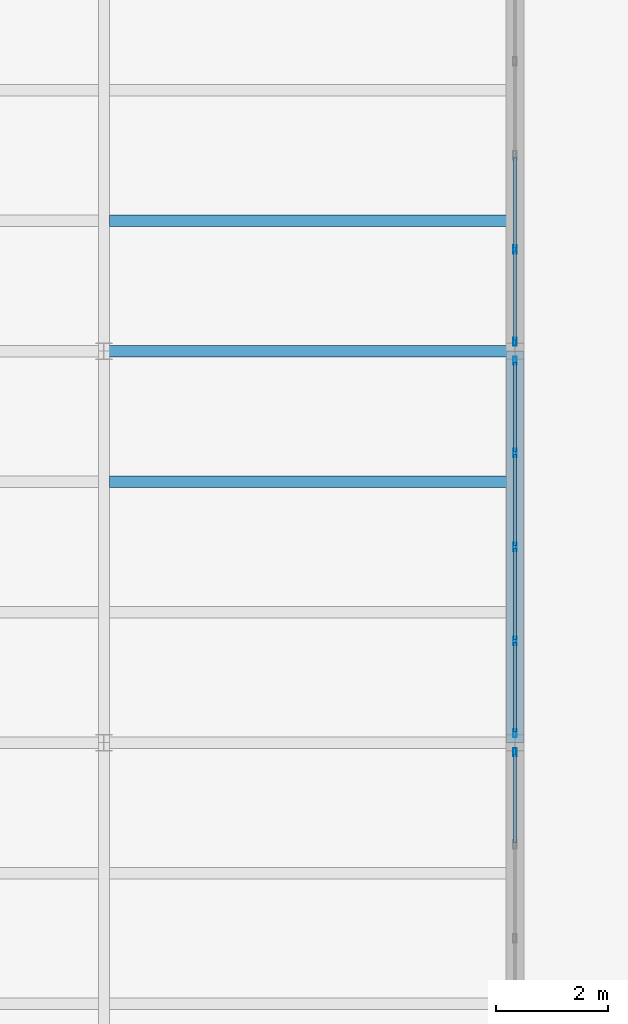
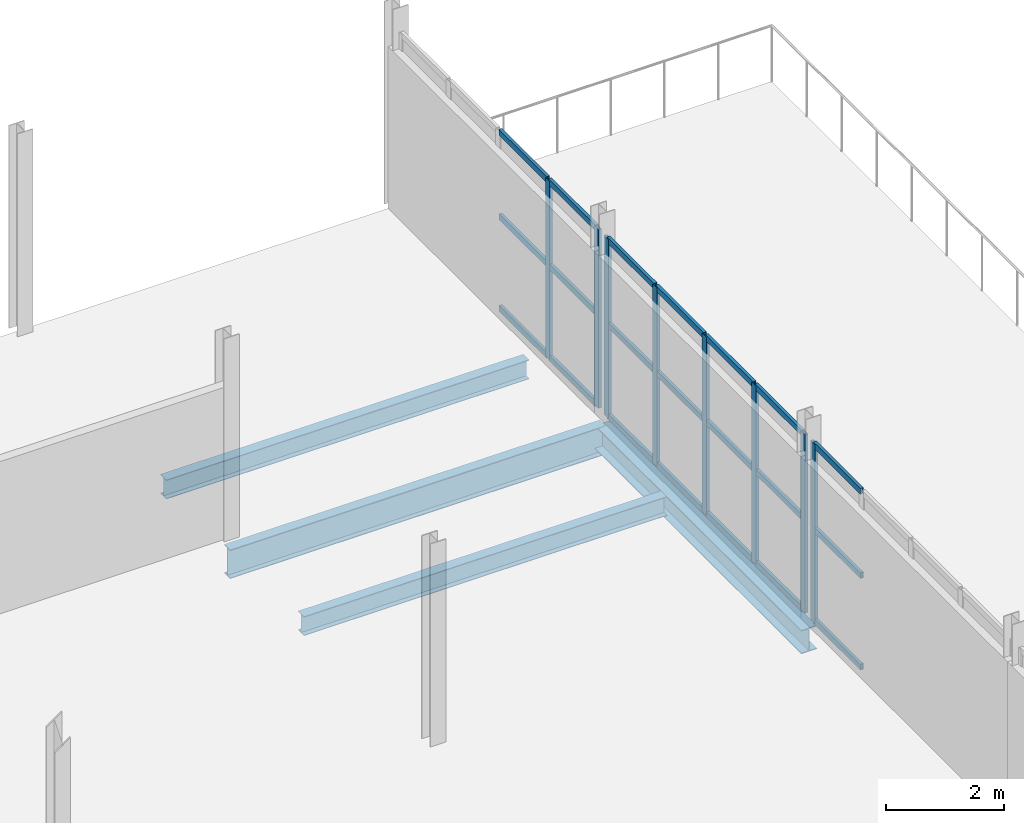
# One storey, part 23 of 39: 29 members, 4 beams, 3 elements without a shape of their own.
"""IFC4 building model written with IfcOpenShell, lengths in metres."""

from ifc_helpers import new_model, si_unit, direction, frame, origin, origin_2d, place, context, subcontext, project, spatial, hollow_rectangle, i_section, extrude, material, material_profile, profile_set, type_object, element, aggregate, save


model = new_model("IFC4")

# Units and contexts
model_context = context("Model", 3, precision=1e-05, world=origin(), true_north=direction((0.0, 1.0)))
body_context = subcontext(model_context, "Body", "Model", "MODEL_VIEW")
ifc_project = project(units=[si_unit("LENGTHUNIT", "METRE"), si_unit("AREAUNIT", "SQUARE_METRE"), si_unit("VOLUMEUNIT", "CUBIC_METRE"), si_unit("PLANEANGLEUNIT", "RADIAN"), si_unit("MASSUNIT", "GRAM", prefix="KILO")], contexts=[model_context])

# Site, building, storey
site_placement = place(None, origin())
site = spatial("IfcSite", under=ifc_project, at=site_placement, CompositionType="ELEMENT")
building_placement = place(site_placement, origin())
building = spatial("IfcBuilding", under=site, at=building_placement, Name="Kazenagashi Tramway Depot", CompositionType="ELEMENT")
storey_placement = place(building_placement, frame((0.0, 0.0, 11.1)))
storey = spatial("IfcBuildingStorey", under=building, at=storey_placement, Name="L03", CompositionType="ELEMENT", Elevation=11.1)

# Beams
ifc_material_1 = material(Name="Steel SN490B", Category="steel")
ifc_material_profile_1 = material_profile(ifc_material_1, i_section(OverallWidth=0.199, OverallDepth=0.596, WebThickness=0.01, FlangeThickness=0.015, at=origin_2d()), Name="H-596x199x10x15")
ifc_profile_set_1 = profile_set([ifc_material_profile_1], Name="Steel SN490B")
beam_type_1 = type_object("IfcBeamType", Name="G-09", PredefinedType="BEAM", material=ifc_profile_set_1)
beam_1_placement = place(storey_placement, frame((29.4, 56.0, -0.548), z_axis=(1.0, 0.0, 0.0), x_axis=(0.0, 1.0, 0.0)))
element("IfcBeam", 1, at=beam_1_placement, inside=storey, type_object=beam_type_1, Name="Beam G-09 BM-0262", PredefinedType="BEAM", context=body_context, shape_type="SweptSolid", body=[
    extrude(i_section(OverallWidth=0.199, OverallDepth=0.596, WebThickness=0.01, FlangeThickness=0.015, at=origin_2d()), origin(), (0.0, 0.0, 1.0), 7.35),
])
ifc_material_profile_2 = material_profile(ifc_material_1, i_section(OverallWidth=0.199, OverallDepth=0.396, WebThickness=0.007, FlangeThickness=0.011, at=origin_2d()), Name="H-396x199x7x11")
ifc_profile_set_2 = profile_set([ifc_material_profile_2], Name="Steel SN490B")
beam_type_2 = type_object("IfcBeamType", Name="J-05", PredefinedType="JOIST", material=ifc_profile_set_2)
for number, where, z_axis, x_axis, name in (
    (2, (29.499, 53.667, -0.448), (1.0, 0.0, 0.0), (0.0, 1.0, 0.0), "Beam J-05 BM-0395"),
    (3, (29.499, 58.333, -0.448), (1.0, 0.0, 0.0), (0.0, 1.0, 0.0), "Beam J-05 BM-0397"),
):
    element("IfcBeam", number, at=place(storey_placement, frame(where, z_axis=z_axis, x_axis=x_axis)), inside=storey, type_object=beam_type_2, Name=name, PredefinedType="JOIST", context=body_context, shape_type="SweptSolid", body=[
        extrude(i_section(OverallWidth=0.199, OverallDepth=0.396, WebThickness=0.007, FlangeThickness=0.011, at=origin_2d()), origin(), (0.0, 0.0, 1.0), 7.101),
    ])

# Curtain wall, member
ifc_material_2 = material(Name="Anodised Aluminium and Low-E Glazing", Category="aluminium")
curtain_wall_type = type_object("IfcCurtainWallType", Name="CW-26", PredefinedType="USERDEFINED", material=ifc_material_2)
curtain_wall_1_placement = place(storey_placement, origin())
curtain_wall_1 = element("IfcCurtainWall", 4, at=curtain_wall_1_placement, inside=storey, type_object=curtain_wall_type, Name="Industrial Glazed Screen CW-26 CW-0148", ObjectType="GLAZED SCREEN", PredefinedType="USERDEFINED")
ifc_material_3 = material(Name="Anodised Aluminium", Category="aluminium")
ifc_material_profile_3 = material_profile(ifc_material_3, hollow_rectangle(XDim=0.06, YDim=0.15, WallThickness=0.004, at=origin_2d()), Name="RHS-150x60x4")
ifc_profile_set_3 = profile_set([ifc_material_profile_3], Name="Anodised Aluminium")
member_type_1 = type_object("IfcMemberType", Name="ML-01", PredefinedType="MULLION", material=ifc_profile_set_3)
member_1_placement = place(storey_placement, frame((36.75, 48.83, 0.0), z_axis=(0.0, 0.0, 1.0), x_axis=(-1.0, 0.0, 0.0)))
member_1 = element("IfcMember", 5, at=member_1_placement, type_object=member_type_1, Name="CW-26 mullion 5", PredefinedType="MULLION", context=body_context, shape_type="SweptSolid", body=[
    extrude(hollow_rectangle(XDim=0.06, YDim=0.15, WallThickness=0.004, at=origin_2d()), origin(), (0.0, 0.0, 1.0), 3.7),
])

# Curtain wall, members
curtain_wall_2_placement = place(storey_placement, origin())
curtain_wall_2 = element("IfcCurtainWall", 6, at=curtain_wall_2_placement, inside=storey, type_object=curtain_wall_type, Name="Industrial Glazed Screen CW-26 CW-0149", ObjectType="GLAZED SCREEN", PredefinedType="USERDEFINED")
member_2_placement = place(storey_placement, frame((36.75, 49.17, 0.0), z_axis=(0.0, 0.0, 1.0), x_axis=(-1.0, 0.0, 0.0)))
member_2 = element("IfcMember", 7, at=member_2_placement, type_object=member_type_1, Name="CW-26 mullion 1", PredefinedType="MULLION", context=body_context, shape_type="SweptSolid", body=[
    extrude(hollow_rectangle(XDim=0.06, YDim=0.15, WallThickness=0.004, at=origin_2d()), origin(), (0.0, 0.0, 1.0), 3.7),
])
member_3_placement = place(storey_placement, frame((36.75, 50.82, 0.0), z_axis=(0.0, 0.0, 1.0), x_axis=(-1.0, 0.0, 0.0)))
member_3 = element("IfcMember", 8, at=member_3_placement, type_object=member_type_1, Name="CW-26 mullion 2", PredefinedType="MULLION", context=body_context, shape_type="SweptSolid", body=[
    extrude(hollow_rectangle(XDim=0.06, YDim=0.15, WallThickness=0.004, at=origin_2d()), origin(), (0.0, 0.0, 1.0), 3.7),
])
member_4_placement = place(storey_placement, frame((36.75, 52.5, 0.0), z_axis=(0.0, 0.0, 1.0), x_axis=(-1.0, 0.0, 0.0)))
member_4 = element("IfcMember", 9, at=member_4_placement, type_object=member_type_1, Name="CW-26 mullion 3", PredefinedType="MULLION", context=body_context, shape_type="SweptSolid", body=[
    extrude(hollow_rectangle(XDim=0.06, YDim=0.15, WallThickness=0.004, at=origin_2d()), origin(), (0.0, 0.0, 1.0), 3.7),
])
member_5_placement = place(storey_placement, frame((36.75, 54.18, 0.0), z_axis=(0.0, 0.0, 1.0), x_axis=(-1.0, 0.0, 0.0)))
member_5 = element("IfcMember", 10, at=member_5_placement, type_object=member_type_1, Name="CW-26 mullion 4", PredefinedType="MULLION", context=body_context, shape_type="SweptSolid", body=[
    extrude(hollow_rectangle(XDim=0.06, YDim=0.15, WallThickness=0.004, at=origin_2d()), origin(), (0.0, 0.0, 1.0), 3.7),
])
member_6_placement = place(storey_placement, frame((36.75, 55.83, 0.0), z_axis=(0.0, 0.0, 1.0), x_axis=(-1.0, 0.0, 0.0)))
member_6 = element("IfcMember", 11, at=member_6_placement, type_object=member_type_1, Name="CW-26 mullion 5", PredefinedType="MULLION", context=body_context, shape_type="SweptSolid", body=[
    extrude(hollow_rectangle(XDim=0.06, YDim=0.15, WallThickness=0.004, at=origin_2d()), origin(), (0.0, 0.0, 1.0), 3.7),
])

curtain_wall_3_placement = place(storey_placement, origin())
curtain_wall_3 = element("IfcCurtainWall", 12, at=curtain_wall_3_placement, inside=storey, type_object=curtain_wall_type, Name="Industrial Glazed Screen CW-26 CW-0150", ObjectType="GLAZED SCREEN", PredefinedType="USERDEFINED")
member_7_placement = place(storey_placement, frame((36.75, 56.17, 0.0), z_axis=(0.0, 0.0, 1.0), x_axis=(-1.0, 0.0, 0.0)))
member_7 = element("IfcMember", 13, at=member_7_placement, type_object=member_type_1, Name="CW-26 mullion 1", PredefinedType="MULLION", context=body_context, shape_type="SweptSolid", body=[
    extrude(hollow_rectangle(XDim=0.06, YDim=0.15, WallThickness=0.004, at=origin_2d()), origin(), (0.0, 0.0, 1.0), 3.7),
])
member_8_placement = place(storey_placement, frame((36.75, 57.82, 0.0), z_axis=(0.0, 0.0, 1.0), x_axis=(-1.0, 0.0, 0.0)))
member_8 = element("IfcMember", 14, at=member_8_placement, type_object=member_type_1, Name="CW-26 mullion 2", PredefinedType="MULLION", context=body_context, shape_type="SweptSolid", body=[
    extrude(hollow_rectangle(XDim=0.06, YDim=0.15, WallThickness=0.004, at=origin_2d()), origin(), (0.0, 0.0, 1.0), 3.7),
])

# Beam
ifc_material_profile_4 = material_profile(ifc_material_1, i_section(OverallWidth=0.3, OverallDepth=0.488, WebThickness=0.011, FlangeThickness=0.018, at=origin_2d()), Name="H-488x300x11x18")
ifc_profile_set_4 = profile_set([ifc_material_profile_4], Name="Steel SN490B")
beam_type_3 = type_object("IfcBeamType", Name="SP-02", PredefinedType="SPANDREL", material=ifc_profile_set_4)
beam_2_placement = place(storey_placement, frame((36.75, 49.0, -0.494), z_axis=(0.0, 1.0, 0.0), x_axis=(-1.0, 0.0, 0.0)))
element("IfcBeam", 15, at=beam_2_placement, inside=storey, type_object=beam_type_3, Name="Beam SP-02 BM-0406", PredefinedType="SPANDREL", context=body_context, shape_type="SweptSolid", body=[
    extrude(i_section(OverallWidth=0.3, OverallDepth=0.488, WebThickness=0.011, FlangeThickness=0.018, at=origin_2d()), origin(), (0.0, 0.0, 1.0), 7.0),
])

# Member
ifc_material_profile_5 = material_profile(ifc_material_3, hollow_rectangle(XDim=0.06, YDim=0.12, WallThickness=0.004, at=origin_2d()), Name="RHS-120x60x4")
ifc_profile_set_5 = profile_set([ifc_material_profile_5], Name="Anodised Aluminium")
member_type_2 = type_object("IfcMemberType", Name="TR-01", PredefinedType="USERDEFINED", material=ifc_profile_set_5)
member_9_placement = place(storey_placement, frame((36.75, 47.21, 0.03), z_axis=(0.0, 1.0, 0.0), x_axis=(-1.0, 0.0, 0.0)))
member_9 = element("IfcMember", 16, at=member_9_placement, type_object=member_type_2, Name="CW-26 transom 4.1", ObjectType="TRANSOM", PredefinedType="USERDEFINED", context=body_context, shape_type="SweptSolid", body=[
    extrude(hollow_rectangle(XDim=0.06, YDim=0.12, WallThickness=0.004, at=origin_2d()), origin(), (0.0, 0.0, 1.0), 1.59),
])

member_10_placement = place(storey_placement, frame((36.75, 47.21, 1.924), z_axis=(0.0, 1.0, 0.0), x_axis=(-1.0, 0.0, 0.0)))
member_10 = element("IfcMember", 17, at=member_10_placement, type_object=member_type_2, Name="CW-26 transom 4.2", ObjectType="TRANSOM", PredefinedType="USERDEFINED", context=body_context, shape_type="SweptSolid", body=[
    extrude(hollow_rectangle(XDim=0.06, YDim=0.12, WallThickness=0.004, at=origin_2d()), origin(), (0.0, 0.0, 1.0), 1.59),
])

member_11_placement = place(storey_placement, frame((36.75, 47.21, 3.67), z_axis=(0.0, 1.0, 0.0), x_axis=(-1.0, 0.0, 0.0)))
member_11 = element("IfcMember", 18, at=member_11_placement, type_object=member_type_2, Name="CW-26 transom 4.3", ObjectType="TRANSOM", PredefinedType="USERDEFINED", context=body_context, shape_type="SweptSolid", body=[
    extrude(hollow_rectangle(XDim=0.06, YDim=0.12, WallThickness=0.004, at=origin_2d()), origin(), (0.0, 0.0, 1.0), 1.59),
])

aggregate(curtain_wall_1, [member_1, member_9, member_10, member_11])

member_12_placement = place(storey_placement, frame((36.75, 49.2, 0.03), z_axis=(0.0, 1.0, 0.0), x_axis=(-1.0, 0.0, 0.0)))
member_12 = element("IfcMember", 19, at=member_12_placement, type_object=member_type_2, Name="CW-26 transom 1.1", ObjectType="TRANSOM", PredefinedType="USERDEFINED", context=body_context, shape_type="SweptSolid", body=[
    extrude(hollow_rectangle(XDim=0.06, YDim=0.12, WallThickness=0.004, at=origin_2d()), origin(), (0.0, 0.0, 1.0), 1.59),
])

member_13_placement = place(storey_placement, frame((36.75, 49.2, 1.924), z_axis=(0.0, 1.0, 0.0), x_axis=(-1.0, 0.0, 0.0)))
member_13 = element("IfcMember", 20, at=member_13_placement, type_object=member_type_2, Name="CW-26 transom 1.2", ObjectType="TRANSOM", PredefinedType="USERDEFINED", context=body_context, shape_type="SweptSolid", body=[
    extrude(hollow_rectangle(XDim=0.06, YDim=0.12, WallThickness=0.004, at=origin_2d()), origin(), (0.0, 0.0, 1.0), 1.59),
])

member_14_placement = place(storey_placement, frame((36.75, 49.2, 3.67), z_axis=(0.0, 1.0, 0.0), x_axis=(-1.0, 0.0, 0.0)))
member_14 = element("IfcMember", 21, at=member_14_placement, type_object=member_type_2, Name="CW-26 transom 1.3", ObjectType="TRANSOM", PredefinedType="USERDEFINED", context=body_context, shape_type="SweptSolid", body=[
    extrude(hollow_rectangle(XDim=0.06, YDim=0.12, WallThickness=0.004, at=origin_2d()), origin(), (0.0, 0.0, 1.0), 1.59),
])

member_15_placement = place(storey_placement, frame((36.75, 50.85, 0.03), z_axis=(0.0, 1.0, 0.0), x_axis=(-1.0, 0.0, 0.0)))
member_15 = element("IfcMember", 22, at=member_15_placement, type_object=member_type_2, Name="CW-26 transom 2.1", ObjectType="TRANSOM", PredefinedType="USERDEFINED", context=body_context, shape_type="SweptSolid", body=[
    extrude(hollow_rectangle(XDim=0.06, YDim=0.12, WallThickness=0.004, at=origin_2d()), origin(), (0.0, 0.0, 1.0), 1.62),
])

member_16_placement = place(storey_placement, frame((36.75, 50.85, 1.924), z_axis=(0.0, 1.0, 0.0), x_axis=(-1.0, 0.0, 0.0)))
member_16 = element("IfcMember", 23, at=member_16_placement, type_object=member_type_2, Name="CW-26 transom 2.2", ObjectType="TRANSOM", PredefinedType="USERDEFINED", context=body_context, shape_type="SweptSolid", body=[
    extrude(hollow_rectangle(XDim=0.06, YDim=0.12, WallThickness=0.004, at=origin_2d()), origin(), (0.0, 0.0, 1.0), 1.62),
])

member_17_placement = place(storey_placement, frame((36.75, 50.85, 3.67), z_axis=(0.0, 1.0, 0.0), x_axis=(-1.0, 0.0, 0.0)))
member_17 = element("IfcMember", 24, at=member_17_placement, type_object=member_type_2, Name="CW-26 transom 2.3", ObjectType="TRANSOM", PredefinedType="USERDEFINED", context=body_context, shape_type="SweptSolid", body=[
    extrude(hollow_rectangle(XDim=0.06, YDim=0.12, WallThickness=0.004, at=origin_2d()), origin(), (0.0, 0.0, 1.0), 1.62),
])

member_18_placement = place(storey_placement, frame((36.75, 52.53, 0.03), z_axis=(0.0, 1.0, 0.0), x_axis=(-1.0, 0.0, 0.0)))
member_18 = element("IfcMember", 25, at=member_18_placement, type_object=member_type_2, Name="CW-26 transom 3.1", ObjectType="TRANSOM", PredefinedType="USERDEFINED", context=body_context, shape_type="SweptSolid", body=[
    extrude(hollow_rectangle(XDim=0.06, YDim=0.12, WallThickness=0.004, at=origin_2d()), origin(), (0.0, 0.0, 1.0), 1.62),
])

member_19_placement = place(storey_placement, frame((36.75, 52.53, 1.924), z_axis=(0.0, 1.0, 0.0), x_axis=(-1.0, 0.0, 0.0)))
member_19 = element("IfcMember", 26, at=member_19_placement, type_object=member_type_2, Name="CW-26 transom 3.2", ObjectType="TRANSOM", PredefinedType="USERDEFINED", context=body_context, shape_type="SweptSolid", body=[
    extrude(hollow_rectangle(XDim=0.06, YDim=0.12, WallThickness=0.004, at=origin_2d()), origin(), (0.0, 0.0, 1.0), 1.62),
])

member_20_placement = place(storey_placement, frame((36.75, 52.53, 3.67), z_axis=(0.0, 1.0, 0.0), x_axis=(-1.0, 0.0, 0.0)))
member_20 = element("IfcMember", 27, at=member_20_placement, type_object=member_type_2, Name="CW-26 transom 3.3", ObjectType="TRANSOM", PredefinedType="USERDEFINED", context=body_context, shape_type="SweptSolid", body=[
    extrude(hollow_rectangle(XDim=0.06, YDim=0.12, WallThickness=0.004, at=origin_2d()), origin(), (0.0, 0.0, 1.0), 1.62),
])

member_21_placement = place(storey_placement, frame((36.75, 54.21, 0.03), z_axis=(0.0, 1.0, 0.0), x_axis=(-1.0, 0.0, 0.0)))
member_21 = element("IfcMember", 28, at=member_21_placement, type_object=member_type_2, Name="CW-26 transom 4.1", ObjectType="TRANSOM", PredefinedType="USERDEFINED", context=body_context, shape_type="SweptSolid", body=[
    extrude(hollow_rectangle(XDim=0.06, YDim=0.12, WallThickness=0.004, at=origin_2d()), origin(), (0.0, 0.0, 1.0), 1.59),
])

member_22_placement = place(storey_placement, frame((36.75, 54.21, 1.924), z_axis=(0.0, 1.0, 0.0), x_axis=(-1.0, 0.0, 0.0)))
member_22 = element("IfcMember", 29, at=member_22_placement, type_object=member_type_2, Name="CW-26 transom 4.2", ObjectType="TRANSOM", PredefinedType="USERDEFINED", context=body_context, shape_type="SweptSolid", body=[
    extrude(hollow_rectangle(XDim=0.06, YDim=0.12, WallThickness=0.004, at=origin_2d()), origin(), (0.0, 0.0, 1.0), 1.59),
])

member_23_placement = place(storey_placement, frame((36.75, 54.21, 3.67), z_axis=(0.0, 1.0, 0.0), x_axis=(-1.0, 0.0, 0.0)))
member_23 = element("IfcMember", 30, at=member_23_placement, type_object=member_type_2, Name="CW-26 transom 4.3", ObjectType="TRANSOM", PredefinedType="USERDEFINED", context=body_context, shape_type="SweptSolid", body=[
    extrude(hollow_rectangle(XDim=0.06, YDim=0.12, WallThickness=0.004, at=origin_2d()), origin(), (0.0, 0.0, 1.0), 1.59),
])

aggregate(curtain_wall_2, [member_2, member_3, member_4, member_5, member_6, member_12, member_13, member_14, member_15, member_16, member_17, member_18, member_19, member_20, member_21, member_22, member_23])

member_24_placement = place(storey_placement, frame((36.75, 56.2, 0.03), z_axis=(0.0, 1.0, 0.0), x_axis=(-1.0, 0.0, 0.0)))
member_24 = element("IfcMember", 31, at=member_24_placement, type_object=member_type_2, Name="CW-26 transom 1.1", ObjectType="TRANSOM", PredefinedType="USERDEFINED", context=body_context, shape_type="SweptSolid", body=[
    extrude(hollow_rectangle(XDim=0.06, YDim=0.12, WallThickness=0.004, at=origin_2d()), origin(), (0.0, 0.0, 1.0), 1.59),
])

member_25_placement = place(storey_placement, frame((36.75, 56.2, 1.924), z_axis=(0.0, 1.0, 0.0), x_axis=(-1.0, 0.0, 0.0)))
member_25 = element("IfcMember", 32, at=member_25_placement, type_object=member_type_2, Name="CW-26 transom 1.2", ObjectType="TRANSOM", PredefinedType="USERDEFINED", context=body_context, shape_type="SweptSolid", body=[
    extrude(hollow_rectangle(XDim=0.06, YDim=0.12, WallThickness=0.004, at=origin_2d()), origin(), (0.0, 0.0, 1.0), 1.59),
])

member_26_placement = place(storey_placement, frame((36.75, 56.2, 3.67), z_axis=(0.0, 1.0, 0.0), x_axis=(-1.0, 0.0, 0.0)))
member_26 = element("IfcMember", 33, at=member_26_placement, type_object=member_type_2, Name="CW-26 transom 1.3", ObjectType="TRANSOM", PredefinedType="USERDEFINED", context=body_context, shape_type="SweptSolid", body=[
    extrude(hollow_rectangle(XDim=0.06, YDim=0.12, WallThickness=0.004, at=origin_2d()), origin(), (0.0, 0.0, 1.0), 1.59),
])

member_27_placement = place(storey_placement, frame((36.75, 57.85, 0.03), z_axis=(0.0, 1.0, 0.0), x_axis=(-1.0, 0.0, 0.0)))
member_27 = element("IfcMember", 34, at=member_27_placement, type_object=member_type_2, Name="CW-26 transom 2.1", ObjectType="TRANSOM", PredefinedType="USERDEFINED", context=body_context, shape_type="SweptSolid", body=[
    extrude(hollow_rectangle(XDim=0.06, YDim=0.12, WallThickness=0.004, at=origin_2d()), origin(), (0.0, 0.0, 1.0), 1.62),
])

member_28_placement = place(storey_placement, frame((36.75, 57.85, 1.924), z_axis=(0.0, 1.0, 0.0), x_axis=(-1.0, 0.0, 0.0)))
member_28 = element("IfcMember", 35, at=member_28_placement, type_object=member_type_2, Name="CW-26 transom 2.2", ObjectType="TRANSOM", PredefinedType="USERDEFINED", context=body_context, shape_type="SweptSolid", body=[
    extrude(hollow_rectangle(XDim=0.06, YDim=0.12, WallThickness=0.004, at=origin_2d()), origin(), (0.0, 0.0, 1.0), 1.62),
])

member_29_placement = place(storey_placement, frame((36.75, 57.85, 3.67), z_axis=(0.0, 1.0, 0.0), x_axis=(-1.0, 0.0, 0.0)))
member_29 = element("IfcMember", 36, at=member_29_placement, type_object=member_type_2, Name="CW-26 transom 2.3", ObjectType="TRANSOM", PredefinedType="USERDEFINED", context=body_context, shape_type="SweptSolid", body=[
    extrude(hollow_rectangle(XDim=0.06, YDim=0.12, WallThickness=0.004, at=origin_2d()), origin(), (0.0, 0.0, 1.0), 1.62),
])

aggregate(curtain_wall_3, [member_7, member_8, member_24, member_25, member_26, member_27, member_28, member_29])

save(model, "model.ifc")
